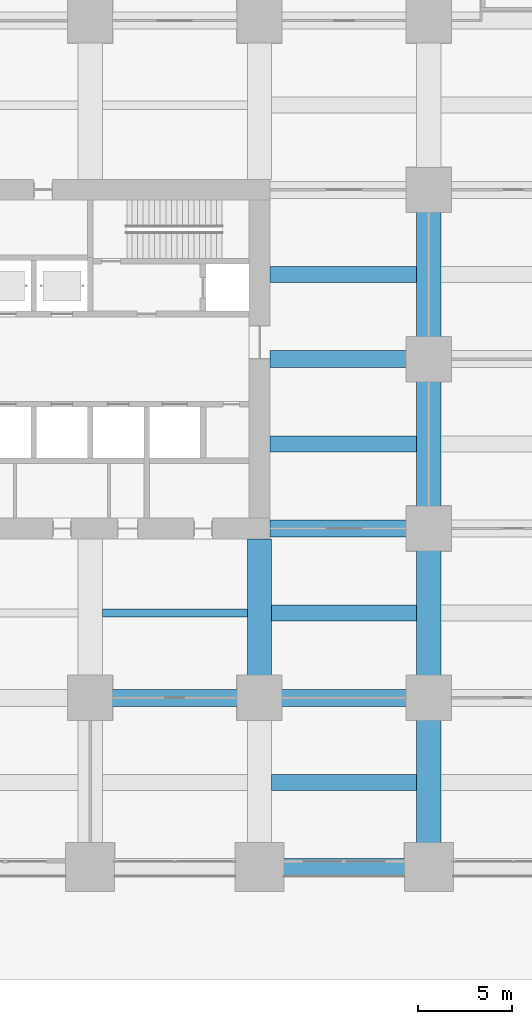
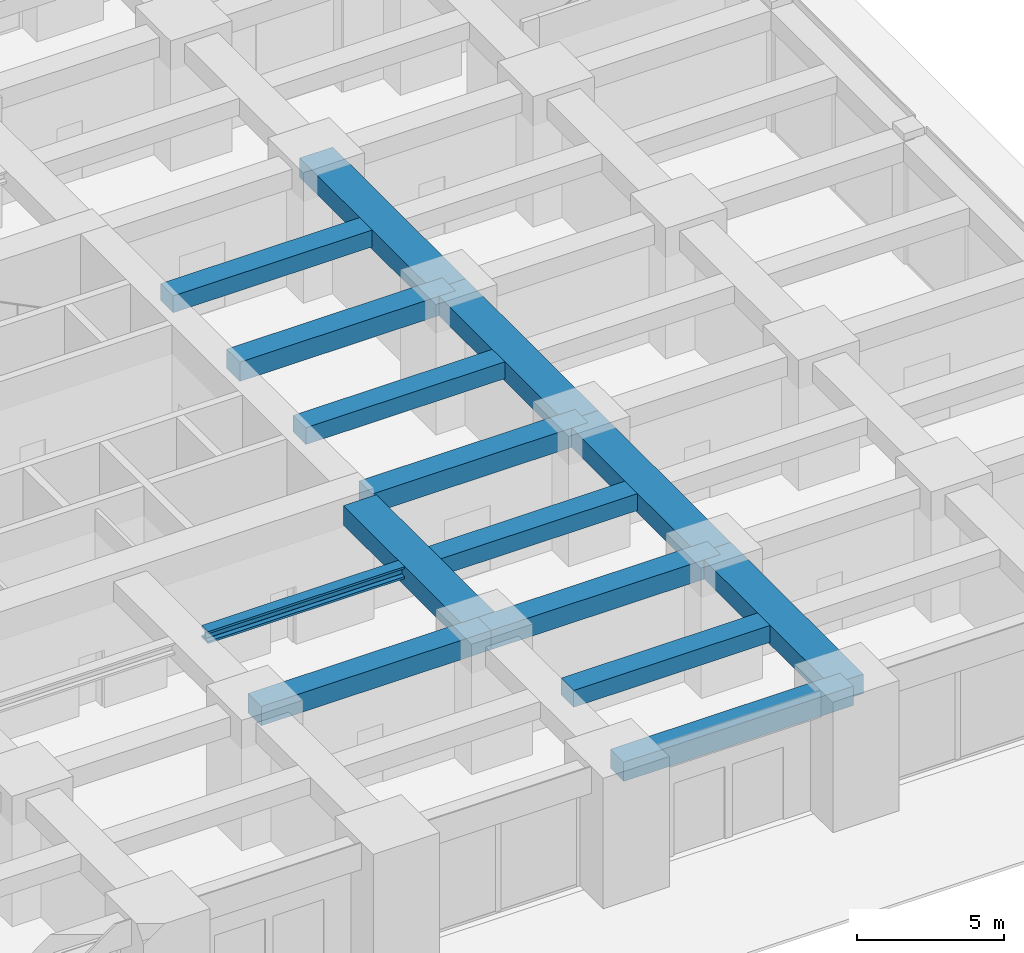
# One storey, part 16 of 56: 15 beams.
"""IFC4 building model written with IfcOpenShell, lengths in metres."""

from ifc_helpers import new_model, si_unit, direction, frame, origin, origin_2d, place, context, subcontext, project, spatial, rectangle, i_section, extrude, material, material_profile, profile_set, type_object, element, save


model = new_model("IFC4")

# Units and contexts
model_context = context("Model", 3, precision=1e-05, world=origin(), true_north=direction((0.0, 1.0)))
body_context = subcontext(model_context, "Body", "Model", "MODEL_VIEW")
ifc_project = project(units=[si_unit("LENGTHUNIT", "METRE"), si_unit("AREAUNIT", "SQUARE_METRE"), si_unit("VOLUMEUNIT", "CUBIC_METRE"), si_unit("PLANEANGLEUNIT", "RADIAN"), si_unit("MASSUNIT", "GRAM", prefix="KILO")], contexts=[model_context])

# Site, building, storey
site_placement = place(None, origin())
site = spatial("IfcSite", under=ifc_project, at=site_placement, CompositionType="ELEMENT")
building_placement = place(site_placement, origin())
building = spatial("IfcBuilding", under=site, at=building_placement, Name="Zorevar Civic Tower", CompositionType="ELEMENT")
storey_placement = place(building_placement, origin())
storey = spatial("IfcBuildingStorey", under=building, at=storey_placement, Name="L00", CompositionType="ELEMENT", Elevation=0.0)

# Beams
ifc_material_1 = material(Name="Concrete C50/60", Category="concrete")
ifc_material_profile_1 = material_profile(ifc_material_1, rectangle(XDim=1.300048828125, YDim=0.800048828125, at=origin_2d()), Name="RC 1300x800")
ifc_profile_set_1 = profile_set([ifc_material_profile_1], Name="Concrete C50/60")
beam_type_1 = type_object("IfcBeamType", Name="Beam RC 1300x800", PredefinedType="BEAM", material=ifc_profile_set_1)
beam_1_placement = place(storey_placement, frame((45.0, 9.0, 4.699951171875), z_axis=(0.0, 1.0, 0.0), x_axis=(-1.0, 0.0, 0.0)))
element("IfcBeam", 1, at=beam_1_placement, inside=storey, type_object=beam_type_1, Name="Girder L01", PredefinedType="BEAM", context=body_context, shape_type="SweptSolid", body=[
    extrude(rectangle(XDim=1.300048828125, YDim=0.800048828125, at=origin_2d()), origin(), (0.0, 0.0, 1.0), 8.449951171875),
])
for number, where, z_axis, x_axis, name in (
    (2, (54.0, 0.0, 4.699951171875), (0.0, 1.0, 0.0), (-1.0, 0.0, 0.0), "Girder L01"),
    (3, (54.0, 9.0, 4.699951171875), (0.0, 1.0, 0.0), (-1.0, 0.0, 0.0), "Girder L01"),
    (4, (54.0, 18.0, 4.699951171875), (0.0, 1.0, 0.0), (-1.0, 0.0, 0.0), "Girder L01"),
    (5, (54.0, 27.0, 4.699951171875), (0.0, 1.0, 0.0), (-1.0, 0.0, 0.0), "Girder L01"),
):
    element("IfcBeam", number, at=place(storey_placement, frame(where, z_axis=z_axis, x_axis=x_axis)), inside=storey, type_object=beam_type_1, Name=name, PredefinedType="BEAM", context=body_context, shape_type="SweptSolid", body=[
        extrude(rectangle(XDim=1.300048828125, YDim=0.800048828125, at=origin_2d()), origin(), (0.0, 0.0, 1.0), 9.0),
    ])
ifc_material_2 = material(Name="Concrete C50/60", Category="concrete")
ifc_material_profile_2 = material_profile(ifc_material_2, rectangle(XDim=0.85009765625, YDim=0.699951171875, at=origin_2d()), Name="RC 850x700")
ifc_profile_set_2 = profile_set([ifc_material_profile_2], Name="Concrete C50/60")
beam_type_2 = type_object("IfcBeamType", Name="Beam RC 850x700", PredefinedType="BEAM", material=ifc_profile_set_2)
for number, where, z_axis, x_axis, name in (
    (6, (45.64990234375, 4.5, 4.75), (1.0, 0.0, 0.0), (0.0, 1.0, 0.0), "Secondary beam L01"),
    (7, (45.64990234375, 13.5, 4.75), (1.0, 0.0, 0.0), (0.0, 1.0, 0.0), "Secondary beam L01"),
):
    element("IfcBeam", number, at=place(storey_placement, frame(where, z_axis=z_axis, x_axis=x_axis)), inside=storey, type_object=beam_type_2, Name=name, PredefinedType="BEAM", context=body_context, shape_type="SweptSolid", body=[
        extrude(rectangle(XDim=0.85009765625, YDim=0.699951171875, at=origin_2d()), origin(), (0.0, 0.0, 1.0), 7.7001953125),
    ])
for number, where, z_axis, x_axis, name in (
    (8, (45.550048828125, 22.5, 4.75), (1.0, 0.0, 0.0), (0.0, 1.0, 0.0), "Secondary beam L01"),
    (9, (45.550048828125, 31.5, 4.75), (1.0, 0.0, 0.0), (0.0, 1.0, 0.0), "Secondary beam L01"),
):
    element("IfcBeam", number, at=place(storey_placement, frame(where, z_axis=z_axis, x_axis=x_axis)), inside=storey, type_object=beam_type_2, Name=name, PredefinedType="BEAM", context=body_context, shape_type="SweptSolid", body=[
        extrude(rectangle(XDim=0.85009765625, YDim=0.699951171875, at=origin_2d()), origin(), (0.0, 0.0, 1.0), 7.800048828125),
    ])
ifc_material_3 = material(Name="Concrete C50/60", Category="concrete")
ifc_material_profile_3 = material_profile(ifc_material_3, rectangle(XDim=0.89990234375, YDim=0.800048828125, at=origin_2d()), Name="RC 900x800")
ifc_profile_set_3 = profile_set([ifc_material_profile_3], Name="Concrete C50/60")
beam_type_3 = type_object("IfcBeamType", Name="Beam RC 900x800", PredefinedType="BEAM", material=ifc_profile_set_3)
for number, where, z_axis, x_axis, name in (
    (10, (36.0, 9.0, 4.699951171875), (1.0, 0.0, 0.0), (0.0, 1.0, 0.0), "Girder L01"),
    (11, (45.0, 9.0, 4.699951171875), (1.0, 0.0, 0.0), (0.0, 1.0, 0.0), "Girder L01"),
):
    element("IfcBeam", number, at=place(storey_placement, frame(where, z_axis=z_axis, x_axis=x_axis)), inside=storey, type_object=beam_type_3, Name=name, PredefinedType="BEAM", context=body_context, shape_type="SweptSolid", body=[
        extrude(rectangle(XDim=0.89990234375, YDim=0.800048828125, at=origin_2d()), origin(), (0.0, 0.0, 1.0), 9.0),
    ])
for number, where, z_axis, x_axis, name in (
    (12, (45.550048828125, 18.0, 4.699951171875), (1.0, 0.0, 0.0), (0.0, 1.0, 0.0), "Girder L01"),
    (13, (45.550048828125, 27.0, 4.699951171875), (1.0, 0.0, 0.0), (0.0, 1.0, 0.0), "Girder L01"),
):
    element("IfcBeam", number, at=place(storey_placement, frame(where, z_axis=z_axis, x_axis=x_axis)), inside=storey, type_object=beam_type_3, Name=name, PredefinedType="BEAM", context=body_context, shape_type="SweptSolid", body=[
        extrude(rectangle(XDim=0.89990234375, YDim=0.800048828125, at=origin_2d()), origin(), (0.0, 0.0, 1.0), 8.449951171875),
    ])
ifc_material_4 = material(Name="Steel S460M (HISTAR 460)", Category="steel")
ifc_material_profile_4 = material_profile(ifc_material_4, i_section(OverallWidth=0.431884765625, OverallDepth=0.498046875, WebThickness=0.0556640625, FlangeThickness=0.0888671875, FilletRadius=0.014892578125, at=origin_2d()), Name="HD 400x744")
ifc_profile_set_4 = profile_set([ifc_material_profile_4], Name="Steel S460M (HISTAR 460)")
beam_type_4 = type_object("IfcBeamType", Name="Core bay beam HD 400x744", PredefinedType="BEAM", material=ifc_profile_set_4)
beam_2_placement = place(storey_placement, frame((36.64990234375, 13.5, 4.85107421875), z_axis=(1.0, 0.0, 0.0), x_axis=(0.0, 1.0, 0.0)))
element("IfcBeam", 14, at=beam_2_placement, inside=storey, type_object=beam_type_4, Name="Secondary beam L01", PredefinedType="BEAM", context=body_context, shape_type="SweptSolid", body=[
    extrude(i_section(OverallWidth=0.431884765625, OverallDepth=0.498046875, WebThickness=0.0556640625, FlangeThickness=0.0888671875, FilletRadius=0.014892578125, at=origin_2d()), origin(), (0.0, 0.0, 1.0), 7.7001953125),
])
ifc_material_5 = material(Name="Concrete C50/60", Category="concrete")
ifc_material_profile_5 = material_profile(ifc_material_5, rectangle(XDim=0.89990234375, YDim=0.800048828125, at=origin_2d()), Name="RC 900x800")
ifc_profile_set_5 = profile_set([ifc_material_profile_5], Name="Concrete C50/60")
beam_type_5 = type_object("IfcBeamType", Name="Edge beam RC 900x800", PredefinedType="SPANDREL", material=ifc_profile_set_5)
beam_3_placement = place(storey_placement, frame((45.0, 0.0, 4.699951171875), z_axis=(1.0, 0.0, 0.0), x_axis=(0.0, 1.0, 0.0)))
element("IfcBeam", 15, at=beam_3_placement, inside=storey, type_object=beam_type_5, Name="Edge beam L01", PredefinedType="SPANDREL", context=body_context, shape_type="SweptSolid", body=[
    extrude(rectangle(XDim=0.89990234375, YDim=0.800048828125, at=origin_2d()), origin(), (0.0, 0.0, 1.0), 9.0),
])

save(model, "model.ifc")
